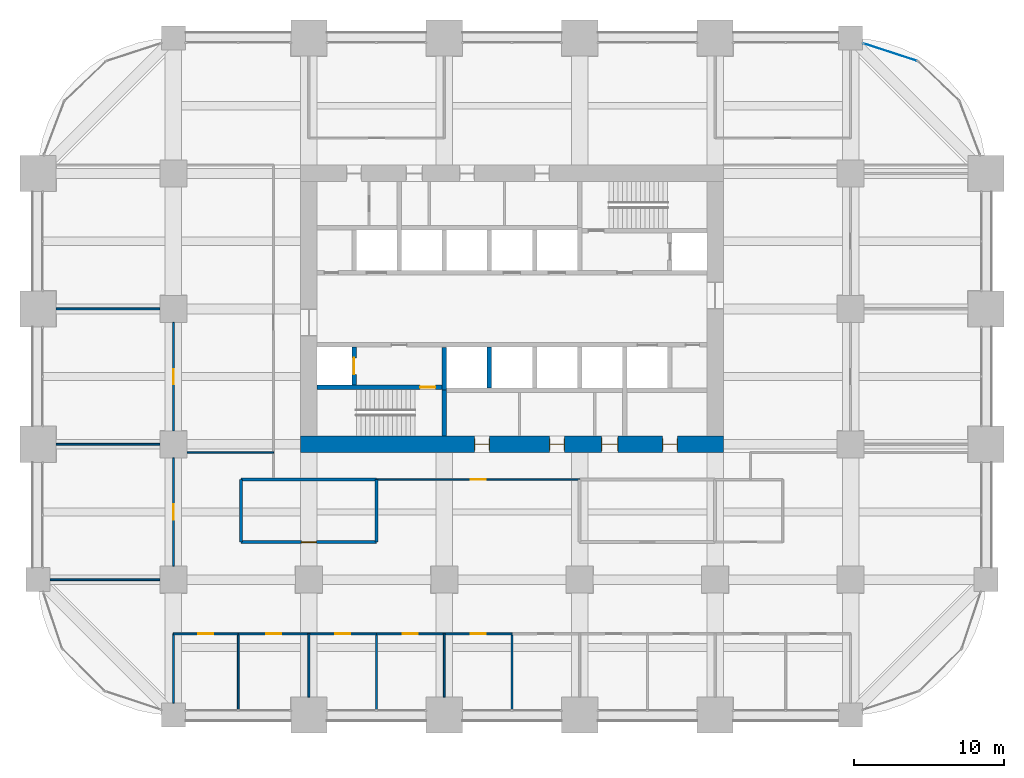
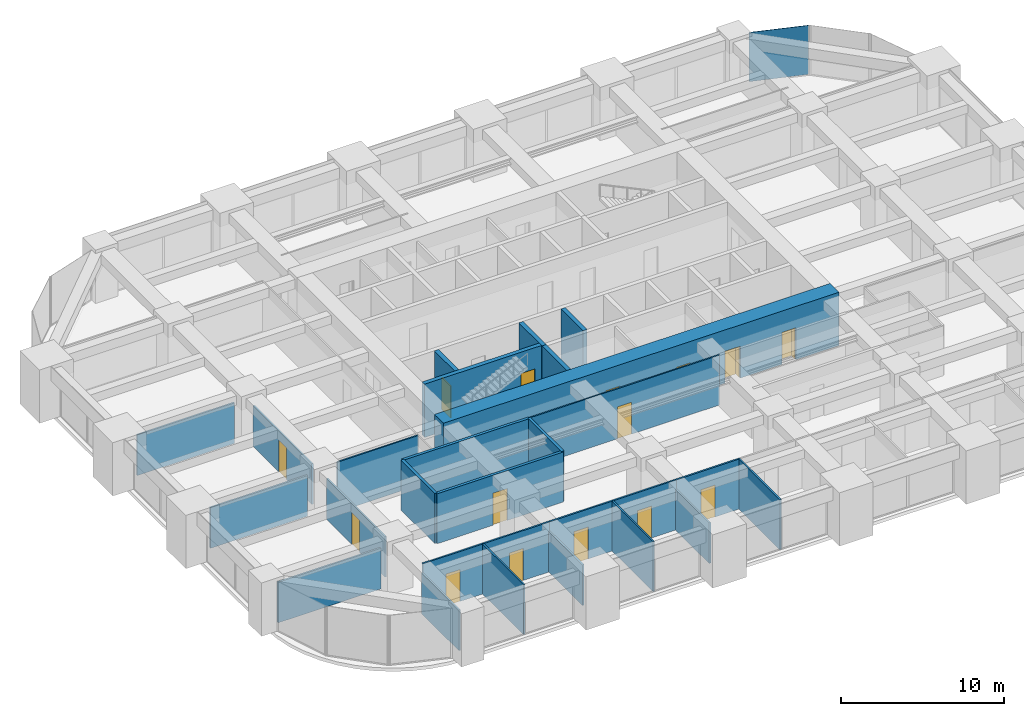
# One storey, part 36 of 40: 28 walls, 15 doors, 1 plate, 15 openings, 1 element without a shape of its own.
"""IFC4 building model written with IfcOpenShell, lengths in metres."""

from ifc_helpers import new_model, si_unit, direction, frame, frame_2d, origin, origin_2d, place, context, subcontext, project, spatial, rectangle, extrude, material, layer, layer_set, type_object, element, fill, aggregate, save


model = new_model("IFC4")

# Units and contexts
model_context = context("Model", 3, precision=1e-05, world=origin(), true_north=direction((0.0, 1.0)))
body_context = subcontext(model_context, "Body", "Model", "MODEL_VIEW")
ifc_project = project(units=[si_unit("LENGTHUNIT", "METRE"), si_unit("AREAUNIT", "SQUARE_METRE"), si_unit("VOLUMEUNIT", "CUBIC_METRE"), si_unit("PLANEANGLEUNIT", "RADIAN"), si_unit("MASSUNIT", "GRAM", prefix="KILO")], contexts=[model_context])

# Site, building, storey
site_placement = place(None, origin())
site = spatial("IfcSite", under=ifc_project, at=site_placement, CompositionType="ELEMENT")
building_placement = place(site_placement, origin())
building = spatial("IfcBuilding", under=site, at=building_placement, Name="Zorevar Civic Tower", CompositionType="ELEMENT")
storey_placement = place(building_placement, frame((0.0, 0.0, 133.0)))
storey = spatial("IfcBuildingStorey", under=building, at=storey_placement, Name="L32", CompositionType="ELEMENT", Elevation=133.0)

# Curtain wall, plate
ifc_material_1 = material(Name="Dark grey solar-control glass in black aluminium frame", Category="aluminium")
curtain_wall_type = type_object("IfcCurtainWallType", Name="Curtain wall CW3 mid zone", PredefinedType="NOTDEFINED", material=ifc_material_1)
curtain_wall_placement = place(storey_placement, origin())
curtain_wall = element("IfcCurtainWall", 1, at=curtain_wall_placement, inside=storey, type_object=curtain_wall_type, Name="CW3 L32", PredefinedType="NOTDEFINED")
ifc_material_2 = material(Name="Dark grey solar-control glass", Category="glass")
ifc_layer_1 = layer(ifc_material_2, 0.030029296875)
ifc_layer_set_1 = layer_set([ifc_layer_1], Name="CW3 panel 30")
plate_type = type_object("IfcPlateType", Name="CW3 panel 30", PredefinedType="CURTAIN_PANEL", material=ifc_layer_set_1)
plate_placement = place(storey_placement, frame((56.63232421875, 44.065185546875, 0.06005859375), z_axis=(0.0, 0.0, 1.0), x_axis=(-0.950650706548, 0.310263169163, 0.0)))
plate = element("IfcPlate", 2, at=plate_placement, type_object=plate_type, Name="CW3 panel 1.1", PredefinedType="CURTAIN_PANEL", context=body_context, shape_type="SweptSolid", body=[
    extrude(rectangle(XDim=3.734619140625, YDim=0.030029296875, at=origin_2d()), origin(), (0.0, 0.0, 1.0), 3.68994140625),
])
aggregate(curtain_wall, [plate])

# Wall, opening, door
ifc_material_3 = material(Name="Concrete blockwork", Category="masonry")
ifc_layer_2 = layer(ifc_material_3, 0.199951171875)
ifc_layer_set_2 = layer_set([ifc_layer_2], Name="Blockwork wall 200")
wall_type_1 = type_object("IfcWallType", Name="Blockwork wall 200", PredefinedType="SOLIDWALL", material=ifc_layer_set_2)
wall_1_placement = place(storey_placement, frame((13.5, 11.5, 0.0), z_axis=(0.0, 0.0, 1.0), x_axis=(1.0, 0.0, 0.0)))
wall_1 = element("IfcWall", 3, at=wall_1_placement, inside=storey, type_object=wall_type_1, Name="Blockwork wall 200 L32", PredefinedType="SOLIDWALL", context=body_context, shape_type="SweptSolid", body=[
    extrude(rectangle(XDim=9.0, YDim=0.199951171875, at=frame_2d((4.5, 0.0))), origin(), (0.0, 0.0, 1.0), 3.75),
])
opening_1_placement = place(wall_1_placement, frame((4.0, 0.0, 0.0)))
opening_1 = element("IfcOpeningElement", 4, at=opening_1_placement, cuts=wall_1, Name="Opening L32.27", PredefinedType="OPENING", context=body_context, shape_type="SweptSolid", body=[
    extrude(rectangle(XDim=1.0, YDim=2.39990234375, at=frame_2d((0.5, 1.199951171875))), frame((0.0, 0.10986328125, 0.0), z_axis=(0.0, -1.0, 0.0), x_axis=(1.0, 0.0, 0.0)), (0.0, 0.0, 1.0), 0.219970703125),
])
ifc_material_4 = material(Name="Steel door set", Category="steel")
door_type_1 = type_object("IfcDoorType", Name="Security door SD1 1000x2400", OperationType="SINGLE_SWING_LEFT", PredefinedType="DOOR", material=ifc_material_4)
door_1_placement = place(opening_1_placement, origin())
door_1 = element("IfcDoor", 5, at=door_1_placement, inside=storey, type_object=door_type_1, Name="Door L32 D1", OperationType="SINGLE_SWING_LEFT", OverallHeight=2.39990234375, OverallWidth=1.0, PredefinedType="DOOR", context=body_context, shape_type="SweptSolid", body=[
    extrude(rectangle(XDim=1.0, YDim=2.39990234375, at=frame_2d((0.5, 1.199951171875))), frame((0.0, 0.03515625, 0.0), z_axis=(0.0, -1.0, 0.0), x_axis=(1.0, 0.0, 0.0)), (0.0, 0.0, 1.0), 0.070068359375),
])
fill(opening_1, door_1)

# Walls
wall_2_placement = place(storey_placement, frame((13.5, 15.64990234375, 0.0), z_axis=(0.0, 0.0, 1.0), x_axis=(1.0, 0.0, 0.0)))
element("IfcWall", 6, at=wall_2_placement, inside=storey, type_object=wall_type_1, Name="Blockwork wall 200 L32", PredefinedType="SOLIDWALL", context=body_context, shape_type="SweptSolid", body=[
    extrude(rectangle(XDim=9.0, YDim=0.199951171875, at=frame_2d((4.5, 0.0))), origin(), (0.0, 0.0, 1.0), 3.75),
])
for number, where, z_axis, x_axis, name in (
    (7, (13.5, 11.5, 0.0), (0.0, 0.0, 1.0), (0.0, 1.0, 0.0), "Blockwork wall 200 L32"),
    (8, (22.5, 11.5, 0.0), (0.0, 0.0, 1.0), (0.0, 1.0, 0.0), "Blockwork wall 200 L32"),
):
    element("IfcWall", number, at=place(storey_placement, frame(where, z_axis=z_axis, x_axis=x_axis)), inside=storey, type_object=wall_type_1, Name=name, PredefinedType="SOLIDWALL", context=body_context, shape_type="SweptSolid", body=[
        extrude(rectangle(XDim=4.14990234375, YDim=0.199951171875, at=frame_2d((2.074951171875, 0.0))), origin(), (0.0, 0.0, 1.0), 3.75),
    ])

# Wall, openings, doors
ifc_material_5 = material(Name="Concrete C50/60", Category="concrete")
ifc_layer_3 = layer(ifc_material_5, 1.10009765625)
ifc_layer_set_3 = layer_set([ifc_layer_3], Name="Core wall 1100")
wall_type_2 = type_object("IfcWallType", Name="Core wall 1100", PredefinedType="SHEAR", material=ifc_layer_set_3)
wall_3_placement = place(storey_placement, frame((17.449951171875, 18.0, 0.0), z_axis=(0.0, 0.0, 1.0), x_axis=(1.0, 0.0, 0.0)))
wall_3 = element("IfcWall", 9, at=wall_3_placement, inside=storey, type_object=wall_type_2, Name="Core wall S L32", PredefinedType="SHEAR", context=body_context, shape_type="SweptSolid", body=[
    extrude(rectangle(XDim=28.10009765625, YDim=1.10009765625, at=frame_2d((14.050048828125, 0.0))), origin(), (0.0, 0.0, 1.0), 4.0),
])
opening_2_placement = place(wall_3_placement, frame((11.550048828125, 0.0, 0.0)))
opening_2 = element("IfcOpeningElement", 10, at=opening_2_placement, cuts=wall_3, Name="Opening L32.03", PredefinedType="OPENING", context=body_context, shape_type="SweptSolid", body=[
    extrude(rectangle(XDim=1.0, YDim=2.39990234375, at=frame_2d((0.5, 1.199951171875))), frame((0.0, 0.56005859375, 0.0), z_axis=(0.0, -1.0, 0.0), x_axis=(1.0, 0.0, 0.0)), (0.0, 0.0, 1.0), 1.1201171875),
])
opening_3_placement = place(wall_3_placement, frame((16.550048828125, 0.0, 0.0)))
opening_3 = element("IfcOpeningElement", 11, at=opening_3_placement, cuts=wall_3, Name="Opening L32.04", PredefinedType="OPENING", context=body_context, shape_type="SweptSolid", body=[
    extrude(rectangle(XDim=1.0, YDim=2.39990234375, at=frame_2d((0.5, 1.199951171875))), frame((0.0, 0.56005859375, 0.0), z_axis=(0.0, -1.0, 0.0), x_axis=(1.0, 0.0, 0.0)), (0.0, 0.0, 1.0), 1.1201171875),
])
opening_4_placement = place(wall_3_placement, frame((20.0, 0.0, 0.0)))
opening_4 = element("IfcOpeningElement", 12, at=opening_4_placement, cuts=wall_3, Name="Opening L32.05", PredefinedType="OPENING", context=body_context, shape_type="SweptSolid", body=[
    extrude(rectangle(XDim=1.10009765625, YDim=2.39990234375, at=frame_2d((0.550048828125, 1.199951171875))), frame((0.0, 0.56005859375, 0.0), z_axis=(0.0, -1.0, 0.0), x_axis=(1.0, 0.0, 0.0)), (0.0, 0.0, 1.0), 1.1201171875),
])
opening_5_placement = place(wall_3_placement, frame((24.050048828125, 0.0, 0.0)))
opening_5 = element("IfcOpeningElement", 13, at=opening_5_placement, cuts=wall_3, Name="Opening L32.06", PredefinedType="OPENING", context=body_context, shape_type="SweptSolid", body=[
    extrude(rectangle(XDim=1.0, YDim=2.39990234375, at=frame_2d((0.5, 1.199951171875))), frame((0.0, 0.56005859375, 0.0), z_axis=(0.0, -1.0, 0.0), x_axis=(1.0, 0.0, 0.0)), (0.0, 0.0, 1.0), 1.1201171875),
])
ifc_material_6 = material(Name="Timber door set", Category="wood")
door_type_2 = type_object("IfcDoorType", Name="Door D1 1000x2400", OperationType="SINGLE_SWING_LEFT", PredefinedType="DOOR", material=ifc_material_6)
door_2_placement = place(opening_2_placement, origin())
door_2 = element("IfcDoor", 14, at=door_2_placement, inside=storey, type_object=door_type_2, Name="Door L32 02", OperationType="SINGLE_SWING_RIGHT", OverallHeight=2.39990234375, OverallWidth=1.0, PredefinedType="DOOR", context=body_context, shape_type="SweptSolid", body=[
    extrude(rectangle(XDim=1.0, YDim=2.39990234375, at=frame_2d((0.5, 1.199951171875))), frame((0.0, 0.02490234375, 0.0), z_axis=(0.0, -1.0, 0.0), x_axis=(1.0, 0.0, 0.0)), (0.0, 0.0, 1.0), 0.050048828125),
    extrude(rectangle(XDim=0.04, YDim=2.39990234375, at=frame_2d((0.02001953125, 1.199951171875))), frame((0.0, 0.39990234375, 0.0), z_axis=(0.0, -1.0, 0.0), x_axis=(1.0, 0.0, 0.0)), (0.0, 0.0, 1.0), 0.800048828125),
    extrude(rectangle(XDim=0.04, YDim=2.39990234375, at=frame_2d((0.97998046875, 1.199951171875))), frame((0.0, 0.39990234375, 0.0), z_axis=(0.0, -1.0, 0.0), x_axis=(1.0, 0.0, 0.0)), (0.0, 0.0, 1.0), 0.800048828125),
    extrude(rectangle(XDim=1.0, YDim=0.04, at=frame_2d((0.5, 2.3798828125))), frame((0.0, 0.39990234375, 0.0), z_axis=(0.0, -1.0, 0.0), x_axis=(1.0, 0.0, 0.0)), (0.0, 0.0, 1.0), 0.800048828125),
])
fill(opening_2, door_2)
door_3_placement = place(opening_3_placement, origin())
door_3 = element("IfcDoor", 15, at=door_3_placement, inside=storey, type_object=door_type_2, Name="Door L32 03", OperationType="SINGLE_SWING_LEFT", OverallHeight=2.39990234375, OverallWidth=1.0, PredefinedType="DOOR", context=body_context, shape_type="SweptSolid", body=[
    extrude(rectangle(XDim=1.0, YDim=2.39990234375, at=frame_2d((0.5, 1.199951171875))), frame((0.0, 0.02490234375, 0.0), z_axis=(0.0, -1.0, 0.0), x_axis=(1.0, 0.0, 0.0)), (0.0, 0.0, 1.0), 0.050048828125),
    extrude(rectangle(XDim=0.04, YDim=2.39990234375, at=frame_2d((0.02001953125, 1.199951171875))), frame((0.0, 0.39990234375, 0.0), z_axis=(0.0, -1.0, 0.0), x_axis=(1.0, 0.0, 0.0)), (0.0, 0.0, 1.0), 0.800048828125),
    extrude(rectangle(XDim=0.04, YDim=2.39990234375, at=frame_2d((0.97998046875, 1.199951171875))), frame((0.0, 0.39990234375, 0.0), z_axis=(0.0, -1.0, 0.0), x_axis=(1.0, 0.0, 0.0)), (0.0, 0.0, 1.0), 0.800048828125),
    extrude(rectangle(XDim=1.0, YDim=0.04, at=frame_2d((0.5, 2.3798828125))), frame((0.0, 0.39990234375, 0.0), z_axis=(0.0, -1.0, 0.0), x_axis=(1.0, 0.0, 0.0)), (0.0, 0.0, 1.0), 0.800048828125),
])
fill(opening_3, door_3)
door_4_placement = place(opening_5_placement, origin())
door_4 = element("IfcDoor", 16, at=door_4_placement, inside=storey, type_object=door_type_2, Name="Door L32 05", OperationType="SINGLE_SWING_LEFT", OverallHeight=2.39990234375, OverallWidth=1.0, PredefinedType="DOOR", context=body_context, shape_type="SweptSolid", body=[
    extrude(rectangle(XDim=1.0, YDim=2.39990234375, at=frame_2d((0.5, 1.199951171875))), frame((0.0, 0.02490234375, 0.0), z_axis=(0.0, -1.0, 0.0), x_axis=(1.0, 0.0, 0.0)), (0.0, 0.0, 1.0), 0.050048828125),
    extrude(rectangle(XDim=0.04, YDim=2.39990234375, at=frame_2d((0.02001953125, 1.199951171875))), frame((0.0, 0.39990234375, 0.0), z_axis=(0.0, -1.0, 0.0), x_axis=(1.0, 0.0, 0.0)), (0.0, 0.0, 1.0), 0.800048828125),
    extrude(rectangle(XDim=0.04, YDim=2.39990234375, at=frame_2d((0.97998046875, 1.199951171875))), frame((0.0, 0.39990234375, 0.0), z_axis=(0.0, -1.0, 0.0), x_axis=(1.0, 0.0, 0.0)), (0.0, 0.0, 1.0), 0.800048828125),
    extrude(rectangle(XDim=1.0, YDim=0.04, at=frame_2d((0.5, 2.3798828125))), frame((0.0, 0.39990234375, 0.0), z_axis=(0.0, -1.0, 0.0), x_axis=(1.0, 0.0, 0.0)), (0.0, 0.0, 1.0), 0.800048828125),
])
fill(opening_5, door_4)
ifc_material_7 = material(Name="Timber door set", Category="wood")
door_type_3 = type_object("IfcDoorType", Name="Door D5 1100x2400", OperationType="SINGLE_SWING_LEFT", PredefinedType="DOOR", material=ifc_material_7)
door_5_placement = place(opening_4_placement, origin())
door_5 = element("IfcDoor", 17, at=door_5_placement, inside=storey, type_object=door_type_3, Name="Door L32 04", OperationType="SINGLE_SWING_LEFT", OverallHeight=2.39990234375, OverallWidth=1.10009765625, PredefinedType="DOOR", context=body_context, shape_type="SweptSolid", body=[
    extrude(rectangle(XDim=1.10009765625, YDim=2.39990234375, at=frame_2d((0.550048828125, 1.199951171875))), frame((0.0, 0.02490234375, 0.0), z_axis=(0.0, -1.0, 0.0), x_axis=(1.0, 0.0, 0.0)), (0.0, 0.0, 1.0), 0.050048828125),
    extrude(rectangle(XDim=0.04, YDim=2.39990234375, at=frame_2d((0.02001953125, 1.199951171875))), frame((0.0, 0.43994140625, 0.0), z_axis=(0.0, -1.0, 0.0), x_axis=(1.0, 0.0, 0.0)), (0.0, 0.0, 1.0), 0.880126953125),
    extrude(rectangle(XDim=0.04, YDim=2.39990234375, at=frame_2d((1.080078125, 1.199951171875))), frame((0.0, 0.43994140625, 0.0), z_axis=(0.0, -1.0, 0.0), x_axis=(1.0, 0.0, 0.0)), (0.0, 0.0, 1.0), 0.880126953125),
    extrude(rectangle(XDim=1.10009765625, YDim=0.04, at=frame_2d((0.550048828125, 2.3798828125))), frame((0.0, 0.43994140625, 0.0), z_axis=(0.0, -1.0, 0.0), x_axis=(1.0, 0.0, 0.0)), (0.0, 0.0, 1.0), 0.880126953125),
])
fill(opening_4, door_5)

# Wall, opening, door
ifc_material_8 = material(Name="Laminated glass in black aluminium frame", Category="aluminium")
ifc_layer_4 = layer(ifc_material_8, 0.10009765625)
ifc_layer_set_4 = layer_set([ifc_layer_4], Name="Glazed partition 100")
wall_type_3 = type_object("IfcWallType", Name="Glazed partition 100", PredefinedType="PARTITIONING", material=ifc_layer_set_4)
wall_4_placement = place(storey_placement, frame((22.5, 15.64990234375, 0.0), z_axis=(0.0, 0.0, 1.0), x_axis=(1.0, 0.0, 0.0)))
wall_4 = element("IfcWall", 18, at=wall_4_placement, inside=storey, type_object=wall_type_3, Name="Glazed partition 100 L32", PredefinedType="PARTITIONING", context=body_context, shape_type="SweptSolid", body=[
    extrude(rectangle(XDim=13.5, YDim=0.10009765625, at=frame_2d((6.75, 0.0))), origin(), (0.0, 0.0, 1.0), 3.75),
])
opening_6_placement = place(wall_4_placement, frame((6.25, 0.0, 0.0)))
opening_6 = element("IfcOpeningElement", 19, at=opening_6_placement, cuts=wall_4, Name="Opening L32.30", PredefinedType="OPENING", context=body_context, shape_type="SweptSolid", body=[
    extrude(rectangle(XDim=1.0, YDim=2.39990234375, at=frame_2d((0.5, 1.199951171875))), frame((0.0, 0.06005859375, 0.0), z_axis=(0.0, -1.0, 0.0), x_axis=(1.0, 0.0, 0.0)), (0.0, 0.0, 1.0), 0.1201171875),
])
ifc_material_9 = material(Name="Timber door set", Category="wood")
door_type_4 = type_object("IfcDoorType", Name="Glazed door GD1 1000x2400", OperationType="SINGLE_SWING_LEFT", PredefinedType="DOOR", material=ifc_material_9)
door_6_placement = place(opening_6_placement, origin())
door_6 = element("IfcDoor", 20, at=door_6_placement, inside=storey, type_object=door_type_4, Name="Door L32 D1", OperationType="SINGLE_SWING_LEFT", OverallHeight=2.39990234375, OverallWidth=1.0, PredefinedType="DOOR", context=body_context, shape_type="SweptSolid", body=[
    extrude(rectangle(XDim=1.0, YDim=2.39990234375, at=frame_2d((0.5, 1.199951171875))), frame((0.0, 0.02001953125, 0.0), z_axis=(0.0, -1.0, 0.0), x_axis=(1.0, 0.0, 0.0)), (0.0, 0.0, 1.0), 0.0400390625),
])
fill(opening_6, door_6)

# Wall
wall_5_placement = place(storey_placement, frame((9.89990234375, 17.449951171875, 0.0), z_axis=(0.0, 0.0, 1.0), x_axis=(1.0, 0.0, 0.0)))
element("IfcWall", 21, at=wall_5_placement, inside=storey, type_object=wall_type_3, Name="Glazed partition 100 L32", PredefinedType="PARTITIONING", context=body_context, shape_type="SweptSolid", body=[
    extrude(rectangle(XDim=5.75, YDim=0.10009765625, at=frame_2d((2.875, 0.0))), origin(), (0.0, 0.0, 1.0), 3.75),
])

# Wall, opening, door
ifc_material_10 = material(Name="Concrete C40/50", Category="concrete")
ifc_layer_5 = layer(ifc_material_10, 0.300048828125)
ifc_layer_set_5 = layer_set([ifc_layer_5], Name="Inner core wall 300")
wall_type_4 = type_object("IfcWallType", Name="Inner core wall 300", PredefinedType="SHEAR", material=ifc_layer_set_5)
wall_6_placement = place(storey_placement, frame((18.550048828125, 21.800048828125, 0.0), z_axis=(0.0, 0.0, 1.0), x_axis=(1.0, 0.0, 0.0)))
wall_6 = element("IfcWall", 22, at=wall_6_placement, inside=storey, type_object=wall_type_4, Name="Inner core wall S00 L32", PredefinedType="SHEAR", context=body_context, shape_type="SweptSolid", body=[
    extrude(rectangle(XDim=8.300048828125, YDim=0.300048828125, at=frame_2d((4.14990234375, 0.0))), origin(), (0.0, 0.0, 1.0), 4.0),
])
opening_7_placement = place(wall_6_placement, frame((6.85009765625, 0.0, 0.0)))
opening_7 = element("IfcOpeningElement", 23, at=opening_7_placement, cuts=wall_6, Name="Opening L32.11", PredefinedType="OPENING", context=body_context, shape_type="SweptSolid", body=[
    extrude(rectangle(XDim=1.0, YDim=2.39990234375, at=frame_2d((0.5, 1.199951171875))), frame((0.0, 0.159912109375, 0.0), z_axis=(0.0, -1.0, 0.0), x_axis=(1.0, 0.0, 0.0)), (0.0, 0.0, 1.0), 0.320068359375),
])
ifc_material_11 = material(Name="Steel door set", Category="steel")
door_type_5 = type_object("IfcDoorType", Name="Fire door FD1 1000x2400", OperationType="SINGLE_SWING_LEFT", PredefinedType="DOOR", material=ifc_material_11)
door_7_placement = place(opening_7_placement, origin())
door_7 = element("IfcDoor", 24, at=door_7_placement, inside=storey, type_object=door_type_5, Name="Door L32 10", OperationType="SINGLE_SWING_RIGHT", OverallHeight=2.39990234375, OverallWidth=1.0, PredefinedType="DOOR", context=body_context, shape_type="SweptSolid", body=[
    extrude(rectangle(XDim=1.0, YDim=2.39990234375, at=frame_2d((0.5, 1.199951171875))), frame((0.0, 0.030029296875, 0.0), z_axis=(0.0, -1.0, 0.0), x_axis=(1.0, 0.0, 0.0)), (0.0, 0.0, 1.0), 0.06005859375),
])
fill(opening_7, door_7)

# Wall
wall_7_placement = place(storey_placement, frame((27.0, 18.550048828125, 0.0), z_axis=(0.0, 0.0, 1.0), x_axis=(0.0, 1.0, 0.0)))
element("IfcWall", 25, at=wall_7_placement, inside=storey, type_object=wall_type_4, Name="Inner core wall S01 L32", PredefinedType="SHEAR", context=body_context, shape_type="SweptSolid", body=[
    extrude(rectangle(XDim=3.050048828125, YDim=0.300048828125, at=frame_2d((1.52490234375, 0.0))), origin(), (0.0, 0.0, 1.0), 4.0),
])

# Wall, opening, door
wall_8_placement = place(storey_placement, frame((21.0, 21.949951171875, 0.0), z_axis=(0.0, 0.0, 1.0), x_axis=(0.0, 1.0, 0.0)))
wall_8 = element("IfcWall", 26, at=wall_8_placement, inside=storey, type_object=wall_type_4, Name="Inner core wall S02 L32", PredefinedType="SHEAR", context=body_context, shape_type="SweptSolid", body=[
    extrude(rectangle(XDim=2.5, YDim=0.300048828125, at=frame_2d((1.25, 0.0))), origin(), (0.0, 0.0, 1.0), 4.0),
])
opening_8_placement = place(wall_8_placement, frame((0.699951171875, 0.0, 0.0)))
opening_8 = element("IfcOpeningElement", 27, at=opening_8_placement, cuts=wall_8, Name="Opening L32.FL1", PredefinedType="OPENING", context=body_context, shape_type="SweptSolid", body=[
    extrude(rectangle(XDim=1.10009765625, YDim=2.39990234375, at=frame_2d((0.550048828125, 1.199951171875))), frame((0.0, 0.159912109375, 0.0), z_axis=(0.0, -1.0, 0.0), x_axis=(1.0, 0.0, 0.0)), (0.0, 0.0, 1.0), 0.320068359375),
])
ifc_material_12 = material(Name="Steel door set", Category="steel")
door_type_6 = type_object("IfcDoorType", Name="Firefighting lift landing door LD3 1100x2400", OperationType="DOUBLE_DOOR_SLIDING", PredefinedType="DOOR", material=ifc_material_12)
door_8_placement = place(opening_8_placement, origin())
door_8 = element("IfcDoor", 28, at=door_8_placement, inside=storey, type_object=door_type_6, Name="Landing door FL1 L32", OperationType="DOUBLE_DOOR_SLIDING", OverallHeight=2.39990234375, OverallWidth=1.10009765625, PredefinedType="DOOR", context=body_context, shape_type="SweptSolid", body=[
    extrude(rectangle(XDim=1.10009765625, YDim=2.39990234375, at=frame_2d((0.550048828125, 1.199951171875))), frame((0.0, 0.030029296875, 0.0), z_axis=(0.0, -1.0, 0.0), x_axis=(1.0, 0.0, 0.0)), (0.0, 0.0, 1.0), 0.06005859375),
])
fill(opening_8, door_8)

# Walls
wall_9_placement = place(storey_placement, frame((30.0, 21.75, 0.0), z_axis=(0.0, 0.0, 1.0), x_axis=(0.0, 1.0, 0.0)))
element("IfcWall", 29, at=wall_9_placement, inside=storey, type_object=wall_type_4, Name="Inner core wall S05 L32", PredefinedType="SHEAR", context=body_context, shape_type="SweptSolid", body=[
    extrude(rectangle(XDim=2.699951171875, YDim=0.300048828125, at=frame_2d((1.35009765625, 0.0))), origin(), (0.0, 0.0, 1.0), 4.0),
])
wall_10_placement = place(storey_placement, frame((27.0, 21.60009765625, 0.0), z_axis=(0.0, 0.0, 1.0), x_axis=(0.0, 1.0, 0.0)))
element("IfcWall", 30, at=wall_10_placement, inside=storey, type_object=wall_type_4, Name="Inner core wall S10 L32", PredefinedType="SHEAR", context=body_context, shape_type="SweptSolid", body=[
    extrude(rectangle(XDim=2.849853515625, YDim=0.300048828125, at=frame_2d((1.4248046875, 0.0))), origin(), (0.0, 0.0, 1.0), 4.0),
])

# Wall, opening, door
ifc_material_13 = material(Name="Gypsum board on steel studs", Category="steel")
ifc_layer_6 = layer(ifc_material_13, 0.1201171875)
ifc_layer_set_6 = layer_set([ifc_layer_6], Name="Partition 120")
wall_type_5 = type_object("IfcWallType", Name="Partition 120", PredefinedType="PARTITIONING", material=ifc_layer_set_6)
wall_11_placement = place(storey_placement, frame((9.0, 5.39990234375, 0.0), z_axis=(0.0, 0.0, 1.0), x_axis=(1.0, 0.0, 0.0)))
wall_11 = element("IfcWall", 31, at=wall_11_placement, inside=storey, type_object=wall_type_5, Name="Partition 120 L32", PredefinedType="PARTITIONING", context=body_context, shape_type="SweptSolid", body=[
    extrude(rectangle(XDim=4.300048828125, YDim=0.1201171875, at=frame_2d((2.14990234375, 0.0))), origin(), (0.0, 0.0, 1.0), 3.75),
])
opening_9_placement = place(wall_11_placement, frame((1.64990234375, 0.0, 0.0)))
opening_9 = element("IfcOpeningElement", 32, at=opening_9_placement, cuts=wall_11, Name="Opening L32.17", PredefinedType="OPENING", context=body_context, shape_type="SweptSolid", body=[
    extrude(rectangle(XDim=1.0, YDim=2.39990234375, at=frame_2d((0.5, 1.199951171875))), frame((0.0, 0.070068359375, 0.0), z_axis=(0.0, -1.0, 0.0), x_axis=(1.0, 0.0, 0.0)), (0.0, 0.0, 1.0), 0.14013671875),
])
door_9_placement = place(opening_9_placement, origin())
door_9 = element("IfcDoor", 33, at=door_9_placement, inside=storey, type_object=door_type_2, Name="Door L32 D1", OperationType="SINGLE_SWING_RIGHT", OverallHeight=2.39990234375, OverallWidth=1.0, PredefinedType="DOOR", context=body_context, shape_type="SweptSolid", body=[
    extrude(rectangle(XDim=1.0, YDim=2.39990234375, at=frame_2d((0.5, 1.199951171875))), frame((0.0, 0.02490234375, 0.0), z_axis=(0.0, -1.0, 0.0), x_axis=(1.0, 0.0, 0.0)), (0.0, 0.0, 1.0), 0.050048828125),
])
fill(opening_9, door_9)

wall_12_placement = place(storey_placement, frame((13.300048828125, 5.39990234375, 0.0), z_axis=(0.0, 0.0, 1.0), x_axis=(1.0, 0.0, 0.0)))
wall_12 = element("IfcWall", 34, at=wall_12_placement, inside=storey, type_object=wall_type_5, Name="Partition 120 L32", PredefinedType="PARTITIONING", context=body_context, shape_type="SweptSolid", body=[
    extrude(rectangle(XDim=4.699951171875, YDim=0.1201171875, at=frame_2d((2.35009765625, 0.0))), origin(), (0.0, 0.0, 1.0), 3.75),
])
opening_10_placement = place(wall_12_placement, frame((1.85009765625, 0.0, 0.0)))
opening_10 = element("IfcOpeningElement", 35, at=opening_10_placement, cuts=wall_12, Name="Opening L32.18", PredefinedType="OPENING", context=body_context, shape_type="SweptSolid", body=[
    extrude(rectangle(XDim=1.0, YDim=2.39990234375, at=frame_2d((0.5, 1.199951171875))), frame((0.0, 0.070068359375, 0.0), z_axis=(0.0, -1.0, 0.0), x_axis=(1.0, 0.0, 0.0)), (0.0, 0.0, 1.0), 0.14013671875),
])
door_10_placement = place(opening_10_placement, origin())
door_10 = element("IfcDoor", 36, at=door_10_placement, inside=storey, type_object=door_type_2, Name="Door L32 D1", OperationType="SINGLE_SWING_RIGHT", OverallHeight=2.39990234375, OverallWidth=1.0, PredefinedType="DOOR", context=body_context, shape_type="SweptSolid", body=[
    extrude(rectangle(XDim=1.0, YDim=2.39990234375, at=frame_2d((0.5, 1.199951171875))), frame((0.0, 0.02490234375, 0.0), z_axis=(0.0, -1.0, 0.0), x_axis=(1.0, 0.0, 0.0)), (0.0, 0.0, 1.0), 0.050048828125),
])
fill(opening_10, door_10)

wall_13_placement = place(storey_placement, frame((18.0, 5.39990234375, 0.0), z_axis=(0.0, 0.0, 1.0), x_axis=(1.0, 0.0, 0.0)))
wall_13 = element("IfcWall", 37, at=wall_13_placement, inside=storey, type_object=wall_type_5, Name="Partition 120 L32", PredefinedType="PARTITIONING", context=body_context, shape_type="SweptSolid", body=[
    extrude(rectangle(XDim=4.5, YDim=0.1201171875, at=frame_2d((2.25, 0.0))), origin(), (0.0, 0.0, 1.0), 3.75),
])
opening_11_placement = place(wall_13_placement, frame((1.75, 0.0, 0.0)))
opening_11 = element("IfcOpeningElement", 38, at=opening_11_placement, cuts=wall_13, Name="Opening L32.19", PredefinedType="OPENING", context=body_context, shape_type="SweptSolid", body=[
    extrude(rectangle(XDim=1.0, YDim=2.39990234375, at=frame_2d((0.5, 1.199951171875))), frame((0.0, 0.070068359375, 0.0), z_axis=(0.0, -1.0, 0.0), x_axis=(1.0, 0.0, 0.0)), (0.0, 0.0, 1.0), 0.14013671875),
])
door_11_placement = place(opening_11_placement, origin())
door_11 = element("IfcDoor", 39, at=door_11_placement, inside=storey, type_object=door_type_2, Name="Door L32 D1", OperationType="SINGLE_SWING_RIGHT", OverallHeight=2.39990234375, OverallWidth=1.0, PredefinedType="DOOR", context=body_context, shape_type="SweptSolid", body=[
    extrude(rectangle(XDim=1.0, YDim=2.39990234375, at=frame_2d((0.5, 1.199951171875))), frame((0.0, 0.02490234375, 0.0), z_axis=(0.0, -1.0, 0.0), x_axis=(1.0, 0.0, 0.0)), (0.0, 0.0, 1.0), 0.050048828125),
])
fill(opening_11, door_11)

wall_14_placement = place(storey_placement, frame((22.5, 5.39990234375, 0.0), z_axis=(0.0, 0.0, 1.0), x_axis=(1.0, 0.0, 0.0)))
wall_14 = element("IfcWall", 40, at=wall_14_placement, inside=storey, type_object=wall_type_5, Name="Partition 120 L32", PredefinedType="PARTITIONING", context=body_context, shape_type="SweptSolid", body=[
    extrude(rectangle(XDim=4.5, YDim=0.1201171875, at=frame_2d((2.25, 0.0))), origin(), (0.0, 0.0, 1.0), 3.75),
])
opening_12_placement = place(wall_14_placement, frame((1.75, 0.0, 0.0)))
opening_12 = element("IfcOpeningElement", 41, at=opening_12_placement, cuts=wall_14, Name="Opening L32.20", PredefinedType="OPENING", context=body_context, shape_type="SweptSolid", body=[
    extrude(rectangle(XDim=1.0, YDim=2.39990234375, at=frame_2d((0.5, 1.199951171875))), frame((0.0, 0.070068359375, 0.0), z_axis=(0.0, -1.0, 0.0), x_axis=(1.0, 0.0, 0.0)), (0.0, 0.0, 1.0), 0.14013671875),
])
door_12_placement = place(opening_12_placement, origin())
door_12 = element("IfcDoor", 42, at=door_12_placement, inside=storey, type_object=door_type_2, Name="Door L32 D1", OperationType="SINGLE_SWING_RIGHT", OverallHeight=2.39990234375, OverallWidth=1.0, PredefinedType="DOOR", context=body_context, shape_type="SweptSolid", body=[
    extrude(rectangle(XDim=1.0, YDim=2.39990234375, at=frame_2d((0.5, 1.199951171875))), frame((0.0, 0.02490234375, 0.0), z_axis=(0.0, -1.0, 0.0), x_axis=(1.0, 0.0, 0.0)), (0.0, 0.0, 1.0), 0.050048828125),
])
fill(opening_12, door_12)

wall_15_placement = place(storey_placement, frame((27.0, 5.39990234375, 0.0), z_axis=(0.0, 0.0, 1.0), x_axis=(1.0, 0.0, 0.0)))
wall_15 = element("IfcWall", 43, at=wall_15_placement, inside=storey, type_object=wall_type_5, Name="Partition 120 L32", PredefinedType="PARTITIONING", context=body_context, shape_type="SweptSolid", body=[
    extrude(rectangle(XDim=4.5, YDim=0.1201171875, at=frame_2d((2.25, 0.0))), origin(), (0.0, 0.0, 1.0), 3.75),
])
opening_13_placement = place(wall_15_placement, frame((1.75, 0.0, 0.0)))
opening_13 = element("IfcOpeningElement", 44, at=opening_13_placement, cuts=wall_15, Name="Opening L32.21", PredefinedType="OPENING", context=body_context, shape_type="SweptSolid", body=[
    extrude(rectangle(XDim=1.0, YDim=2.39990234375, at=frame_2d((0.5, 1.199951171875))), frame((0.0, 0.070068359375, 0.0), z_axis=(0.0, -1.0, 0.0), x_axis=(1.0, 0.0, 0.0)), (0.0, 0.0, 1.0), 0.14013671875),
])
door_13_placement = place(opening_13_placement, origin())
door_13 = element("IfcDoor", 45, at=door_13_placement, inside=storey, type_object=door_type_2, Name="Door L32 D1", OperationType="SINGLE_SWING_RIGHT", OverallHeight=2.39990234375, OverallWidth=1.0, PredefinedType="DOOR", context=body_context, shape_type="SweptSolid", body=[
    extrude(rectangle(XDim=1.0, YDim=2.39990234375, at=frame_2d((0.5, 1.199951171875))), frame((0.0, 0.02490234375, 0.0), z_axis=(0.0, -1.0, 0.0), x_axis=(1.0, 0.0, 0.0)), (0.0, 0.0, 1.0), 0.050048828125),
])
fill(opening_13, door_13)

# Walls
wall_16_placement = place(storey_placement, frame((0.800048828125, 9.0, 0.0), z_axis=(0.0, 0.0, 1.0), x_axis=(1.0, 0.0, 0.0)))
element("IfcWall", 46, at=wall_16_placement, inside=storey, type_object=wall_type_5, Name="Partition 120 L32", PredefinedType="PARTITIONING", context=body_context, shape_type="SweptSolid", body=[
    extrude(rectangle(XDim=7.300048828125, YDim=0.1201171875, at=frame_2d((3.64990234375, 0.0))), origin(), (0.0, 0.0, 1.0), 3.050048828125),
])
for number, where, z_axis, x_axis, name in (
    (47, (1.199951171875, 18.0, 0.0), (0.0, 0.0, 1.0), (1.0, 0.0, 0.0), "Partition 120 L32"),
    (48, (1.199951171875, 27.0, 0.0), (0.0, 0.0, 1.0), (1.0, 0.0, 0.0), "Partition 120 L32"),
):
    element("IfcWall", number, at=place(storey_placement, frame(where, z_axis=z_axis, x_axis=x_axis)), inside=storey, type_object=wall_type_5, Name=name, PredefinedType="PARTITIONING", context=body_context, shape_type="SweptSolid", body=[
        extrude(rectangle(XDim=6.900146484375, YDim=0.1201171875, at=frame_2d((3.4501953125, 0.0))), origin(), (0.0, 0.0, 1.0), 3.050048828125),
    ])
wall_17_placement = place(storey_placement, frame((9.0, 0.800048828125, 0.0), z_axis=(0.0, 0.0, 1.0), x_axis=(0.0, 1.0, 0.0)))
element("IfcWall", 49, at=wall_17_placement, inside=storey, type_object=wall_type_5, Name="Partition 120 L32", PredefinedType="PARTITIONING", context=body_context, shape_type="SweptSolid", body=[
    extrude(rectangle(XDim=4.599853515625, YDim=0.1201171875, at=frame_2d((2.2998046875, 0.0))), origin(), (0.0, 0.0, 1.0), 3.050048828125),
])

# Wall, opening, door
wall_18_placement = place(storey_placement, frame((9.0, 9.89990234375, 0.0), z_axis=(0.0, 0.0, 1.0), x_axis=(0.0, 1.0, 0.0)))
wall_18 = element("IfcWall", 50, at=wall_18_placement, inside=storey, type_object=wall_type_5, Name="Partition 120 L32", PredefinedType="PARTITIONING", context=body_context, shape_type="SweptSolid", body=[
    extrude(rectangle(XDim=7.2001953125, YDim=0.1201171875, at=frame_2d((3.60009765625, 0.0))), origin(), (0.0, 0.0, 1.0), 3.050048828125),
])
opening_14_placement = place(wall_18_placement, frame((3.10009765625, 0.0, 0.0)))
opening_14 = element("IfcOpeningElement", 51, at=opening_14_placement, cuts=wall_18, Name="Opening L32.33", PredefinedType="OPENING", context=body_context, shape_type="SweptSolid", body=[
    extrude(rectangle(XDim=1.0, YDim=2.39990234375, at=frame_2d((0.5, 1.199951171875))), frame((0.0, 0.070068359375, 0.0), z_axis=(0.0, -1.0, 0.0), x_axis=(1.0, 0.0, 0.0)), (0.0, 0.0, 1.0), 0.14013671875),
])
door_14_placement = place(opening_14_placement, origin())
door_14 = element("IfcDoor", 52, at=door_14_placement, inside=storey, type_object=door_type_2, Name="Door L32 D1", OperationType="SINGLE_SWING_RIGHT", OverallHeight=2.39990234375, OverallWidth=1.0, PredefinedType="DOOR", context=body_context, shape_type="SweptSolid", body=[
    extrude(rectangle(XDim=1.0, YDim=2.39990234375, at=frame_2d((0.5, 1.199951171875))), frame((0.0, 0.02490234375, 0.0), z_axis=(0.0, -1.0, 0.0), x_axis=(1.0, 0.0, 0.0)), (0.0, 0.0, 1.0), 0.050048828125),
])
fill(opening_14, door_14)

wall_19_placement = place(storey_placement, frame((9.0, 18.89990234375, 0.0), z_axis=(0.0, 0.0, 1.0), x_axis=(0.0, 1.0, 0.0)))
wall_19 = element("IfcWall", 53, at=wall_19_placement, inside=storey, type_object=wall_type_5, Name="Partition 120 L32", PredefinedType="PARTITIONING", context=body_context, shape_type="SweptSolid", body=[
    extrude(rectangle(XDim=7.2001953125, YDim=0.1201171875, at=frame_2d((3.60009765625, 0.0))), origin(), (0.0, 0.0, 1.0), 3.050048828125),
])
opening_15_placement = place(wall_19_placement, frame((3.10009765625, 0.0, 0.0)))
opening_15 = element("IfcOpeningElement", 54, at=opening_15_placement, cuts=wall_19, Name="Opening L32.34", PredefinedType="OPENING", context=body_context, shape_type="SweptSolid", body=[
    extrude(rectangle(XDim=1.0, YDim=2.39990234375, at=frame_2d((0.5, 1.199951171875))), frame((0.0, 0.070068359375, 0.0), z_axis=(0.0, -1.0, 0.0), x_axis=(1.0, 0.0, 0.0)), (0.0, 0.0, 1.0), 0.14013671875),
])
door_15_placement = place(opening_15_placement, origin())
door_15 = element("IfcDoor", 55, at=door_15_placement, inside=storey, type_object=door_type_2, Name="Door L32 D1", OperationType="SINGLE_SWING_LEFT", OverallHeight=2.39990234375, OverallWidth=1.0, PredefinedType="DOOR", context=body_context, shape_type="SweptSolid", body=[
    extrude(rectangle(XDim=1.0, YDim=2.39990234375, at=frame_2d((0.5, 1.199951171875))), frame((0.0, 0.02490234375, 0.0), z_axis=(0.0, -1.0, 0.0), x_axis=(1.0, 0.0, 0.0)), (0.0, 0.0, 1.0), 0.050048828125),
])
fill(opening_15, door_15)

# Walls
wall_20_placement = place(storey_placement, frame((13.300048828125, 0.31005859375, 0.0), z_axis=(0.0, 0.0, 1.0), x_axis=(0.0, 1.0, 0.0)))
element("IfcWall", 56, at=wall_20_placement, inside=storey, type_object=wall_type_5, Name="Partition 120 L32", PredefinedType="PARTITIONING", context=body_context, shape_type="SweptSolid", body=[
    extrude(rectangle(XDim=5.08984375, YDim=0.1201171875, at=frame_2d((2.544921875, 0.0))), origin(), (0.0, 0.0, 1.0), 3.75),
])
wall_21_placement = place(storey_placement, frame((18.0, 1.199951171875, 0.0), z_axis=(0.0, 0.0, 1.0), x_axis=(0.0, 1.0, 0.0)))
element("IfcWall", 57, at=wall_21_placement, inside=storey, type_object=wall_type_5, Name="Partition 120 L32", PredefinedType="PARTITIONING", context=body_context, shape_type="SweptSolid", body=[
    extrude(rectangle(XDim=4.199951171875, YDim=0.1201171875, at=frame_2d((2.10009765625, 0.0))), origin(), (0.0, 0.0, 1.0), 3.050048828125),
])
wall_22_placement = place(storey_placement, frame((22.5, 0.31005859375, 0.0), z_axis=(0.0, 0.0, 1.0), x_axis=(0.0, 1.0, 0.0)))
element("IfcWall", 58, at=wall_22_placement, inside=storey, type_object=wall_type_5, Name="Partition 120 L32", PredefinedType="PARTITIONING", context=body_context, shape_type="SweptSolid", body=[
    extrude(rectangle(XDim=5.08984375, YDim=0.1201171875, at=frame_2d((2.544921875, 0.0))), origin(), (0.0, 0.0, 1.0), 3.75),
])
wall_23_placement = place(storey_placement, frame((27.0, 1.199951171875, 0.0), z_axis=(0.0, 0.0, 1.0), x_axis=(0.0, 1.0, 0.0)))
element("IfcWall", 59, at=wall_23_placement, inside=storey, type_object=wall_type_5, Name="Partition 120 L32", PredefinedType="PARTITIONING", context=body_context, shape_type="SweptSolid", body=[
    extrude(rectangle(XDim=4.199951171875, YDim=0.1201171875, at=frame_2d((2.10009765625, 0.0))), origin(), (0.0, 0.0, 1.0), 3.050048828125),
])
wall_24_placement = place(storey_placement, frame((31.5, 0.31005859375, 0.0), z_axis=(0.0, 0.0, 1.0), x_axis=(0.0, 1.0, 0.0)))
element("IfcWall", 60, at=wall_24_placement, inside=storey, type_object=wall_type_5, Name="Partition 120 L32", PredefinedType="PARTITIONING", context=body_context, shape_type="SweptSolid", body=[
    extrude(rectangle(XDim=5.08984375, YDim=0.1201171875, at=frame_2d((2.544921875, 0.0))), origin(), (0.0, 0.0, 1.0), 3.75),
])

save(model, "model.ifc")
